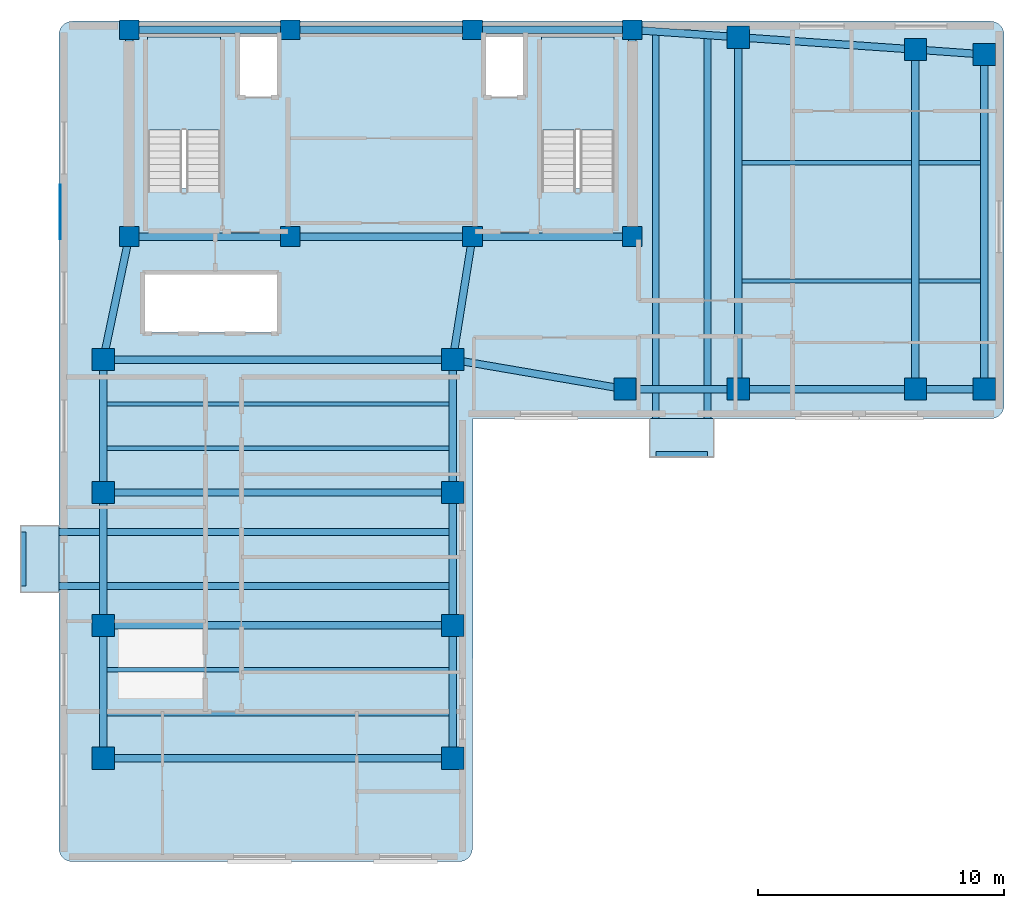
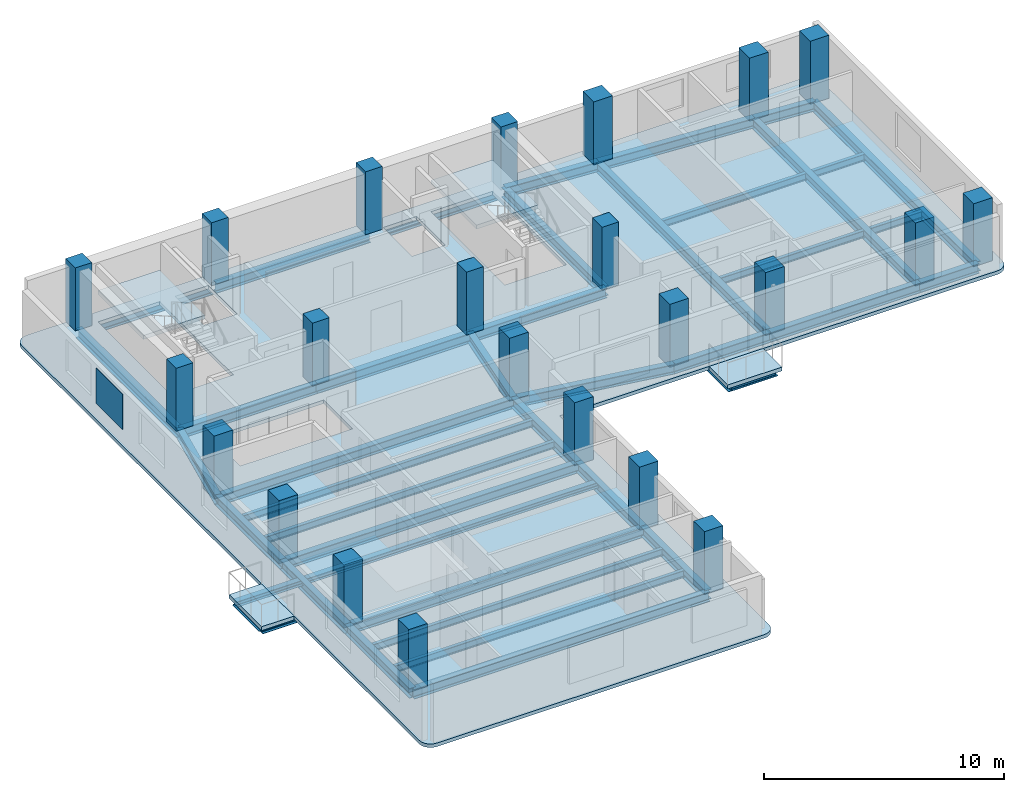
# One storey, part 1 of 6: 44 beams, 23 columns, 5 slabs, 1 plate, 2 elements without a shape of their own.
"""IFC4 building model written with IfcOpenShell, lengths in metres."""

from ifc_helpers import new_model, si_unit, direction, frame, origin, origin_2d, place, context, subcontext, project, spatial, polyline, rectangle, i_section, outline, extrude, material, layer, layer_set, material_profile, profile_set, type_object, element, aggregate, save


model = new_model("IFC4")

# Units and contexts
model_context = context("Model", 3, precision=1e-05, world=origin(), true_north=direction((0.0, 1.0)))
body_context = subcontext(model_context, "Body", "Model", "MODEL_VIEW")
ifc_project = project(units=[si_unit("LENGTHUNIT", "METRE"), si_unit("AREAUNIT", "SQUARE_METRE"), si_unit("VOLUMEUNIT", "CUBIC_METRE"), si_unit("PLANEANGLEUNIT", "RADIAN"), si_unit("MASSUNIT", "GRAM", prefix="KILO")], contexts=[model_context])

# Site, building, storey
site_placement = place(None, origin())
site = spatial("IfcSite", under=ifc_project, at=site_placement, CompositionType="ELEMENT")
building_placement = place(site_placement, origin())
building = spatial("IfcBuilding", under=site, at=building_placement, Name="Kuzgunbayir Cultural Tower", CompositionType="ELEMENT")
storey_placement = place(building_placement, frame((0.0, 0.0, 195.199951171875)))
storey = spatial("IfcBuildingStorey", under=building, at=storey_placement, Name="L57", CompositionType="ELEMENT", Elevation=195.199951171875)

# Columns
ifc_material_1 = material(Name="Concrete C50/60", Category="concrete")
ifc_material_profile_1 = material_profile(ifc_material_1, rectangle(XDim=0.800048828125, YDim=0.800048828125, at=origin_2d()), Name="RC 800x800")
ifc_profile_set_1 = profile_set([ifc_material_profile_1], Name="Concrete C50/60")
column_type_1 = type_object("IfcColumnType", Name="COL-CORE-800", PredefinedType="COLUMN", material=ifc_profile_set_1)
for number, where, z_axis, x_axis, name in (
    (1, (6.449951171875, 33.800048828125, 0.0), (0.0, 0.0, 1.0), (1.0, 0.0, 0.0), "L57 T1 Core Boundary Column CC1-1"),
    (2, (13.0, 33.800048828125, 0.0), (0.0, 0.0, 1.0), (1.0, 0.0, 0.0), "L57 T1 Core Boundary Column CC1-2"),
    (3, (20.39990234375, 33.800048828125, 0.0), (0.0, 0.0, 1.0), (1.0, 0.0, 0.0), "L57 T1 Core Boundary Column CC1-3"),
    (4, (26.89990234375, 33.800048828125, 0.0), (0.0, 0.0, 1.0), (1.0, 0.0, 0.0), "L57 T1 Core Boundary Column CC1-4"),
    (5, (6.449951171875, 42.199951171875, 0.0), (0.0, 0.0, 1.0), (1.0, 0.0, 0.0), "L57 T1 Core Boundary Column CC1-5"),
    (6, (13.0, 42.199951171875, 0.0), (0.0, 0.0, 1.0), (1.0, 0.0, 0.0), "L57 T1 Core Boundary Column CC1-6"),
    (7, (20.39990234375, 42.199951171875, 0.0), (0.0, 0.0, 1.0), (1.0, 0.0, 0.0), "L57 T1 Core Boundary Column CC1-7"),
    (8, (26.89990234375, 42.199951171875, 0.0), (0.0, 0.0, 1.0), (1.0, 0.0, 0.0), "L57 T1 Core Boundary Column CC1-8"),
):
    element("IfcColumn", number, at=place(storey_placement, frame(where, z_axis=z_axis, x_axis=x_axis)), inside=storey, type_object=column_type_1, Name=name, PredefinedType="COLUMN", context=body_context, shape_type="SweptSolid", body=[
        extrude(rectangle(XDim=0.800048828125, YDim=0.800048828125, at=origin_2d()), origin(), (0.0, 0.0, 1.0), 3.199951171875),
    ])
ifc_material_profile_2 = material_profile(ifc_material_1, rectangle(XDim=0.89990234375, YDim=0.89990234375, at=origin_2d()), Name="RC 900x900")
ifc_profile_set_2 = profile_set([ifc_material_profile_2], Name="Concrete C50/60")
column_type_2 = type_object("IfcColumnType", Name="COL-T1-900", PredefinedType="COLUMN", material=ifc_profile_set_2)
for number, where, z_axis, x_axis, name in (
    (9, (5.39990234375, 12.60009765625, 0.0), (0.0, 0.0, 1.0), (1.0, 0.0, 0.0), "L57 Tower 1 Wing A Column T1A-W-1"),
    (10, (19.60009765625, 12.60009765625, 0.0), (0.0, 0.0, 1.0), (1.0, 0.0, 0.0), "L57 Tower 1 Wing A Column T1A-E-1"),
    (11, (5.39990234375, 18.0, 0.0), (0.0, 0.0, 1.0), (1.0, 0.0, 0.0), "L57 Tower 1 Wing A Column T1A-W-2"),
    (12, (19.60009765625, 18.0, 0.0), (0.0, 0.0, 1.0), (1.0, 0.0, 0.0), "L57 Tower 1 Wing A Column T1A-E-2"),
    (13, (5.39990234375, 23.39990234375, 0.0), (0.0, 0.0, 1.0), (1.0, 0.0, 0.0), "L57 Tower 1 Wing A Column T1A-W-3"),
    (14, (19.60009765625, 23.39990234375, 0.0), (0.0, 0.0, 1.0), (1.0, 0.0, 0.0), "L57 Tower 1 Wing A Column T1A-E-3"),
    (15, (5.39990234375, 28.800048828125, 0.0), (0.0, 0.0, 1.0), (1.0, 0.0, 0.0), "L57 Tower 1 Wing A Column T1A-W-4"),
    (16, (19.60009765625, 28.800048828125, 0.0), (0.0, 0.0, 1.0), (1.0, 0.0, 0.0), "L57 Tower 1 Wing A Column T1A-E-4"),
    (17, (26.60009765625, 27.60009765625, 0.0), (0.0, 0.0, 1.0), (1.0, 0.0, 0.0), "L57 Tower 1 Wing B Column T1B-1-1"),
    (18, (31.199951171875, 27.60009765625, 0.0), (0.0, 0.0, 1.0), (1.0, 0.0, 0.0), "L57 Tower 1 Wing B Column T1B-2-1"),
    (19, (31.199951171875, 41.89990234375, 0.0), (0.0, 0.0, 1.0), (1.0, 0.0, 0.0), "L57 Tower 1 Wing B Column T1B-2-2"),
    (20, (38.39990234375, 27.60009765625, 0.0), (0.0, 0.0, 1.0), (1.0, 0.0, 0.0), "L57 Tower 1 Wing B Column T1B-3-1"),
    (21, (38.39990234375, 41.39990234375, 0.0), (0.0, 0.0, 1.0), (1.0, 0.0, 0.0), "L57 Tower 1 Wing B Column T1B-3-2"),
    (22, (41.199951171875, 27.60009765625, 0.0), (0.0, 0.0, 1.0), (1.0, 0.0, 0.0), "L57 Tower 1 Wing B Column T1B-4-1"),
    (23, (41.199951171875, 41.199951171875, 0.0), (0.0, 0.0, 1.0), (1.0, 0.0, 0.0), "L57 Tower 1 Wing B Column T1B-4-2"),
):
    element("IfcColumn", number, at=place(storey_placement, frame(where, z_axis=z_axis, x_axis=x_axis)), inside=storey, type_object=column_type_2, Name=name, PredefinedType="COLUMN", context=body_context, shape_type="SweptSolid", body=[
        extrude(rectangle(XDim=0.89990234375, YDim=0.89990234375, at=origin_2d()), origin(), (0.0, 0.0, 1.0), 3.199951171875),
    ])

# Beams
ifc_material_2 = material(Name="Steel S355J2", Category="steel")
ifc_material_profile_3 = material_profile(ifc_material_2, i_section(OverallWidth=0.280029296875, OverallDepth=0.280029296875, WebThickness=0.010498046875, FlangeThickness=0.01806640625, FilletRadius=0.02392578125, at=origin_2d()), Name="HEB 280")
ifc_profile_set_3 = profile_set([ifc_material_profile_3], Name="Steel S355J2")
beam_type_1 = type_object("IfcBeamType", Name="BM-BAL-HEB280", PredefinedType="BEAM", material=ifc_profile_set_3)
for number, where, z_axis, x_axis, name in (
    (24, (2.159912109375, 19.60009765625, -0.33984375), (1.0, 0.0, 0.0), (0.0, 1.0, 0.0), "L57 Balcony Outrigger Beam BAL-L57-WA2.1"),
    (25, (2.159912109375, 21.800048828125, -0.33984375), (1.0, 0.0, 0.0), (0.0, 1.0, 0.0), "L57 Balcony Outrigger Beam BAL-L57-WA2.2"),
):
    element("IfcBeam", number, at=place(storey_placement, frame(where, z_axis=z_axis, x_axis=x_axis)), inside=storey, type_object=beam_type_1, Name=name, PredefinedType="BEAM", context=body_context, shape_type="SweptSolid", body=[
        extrude(i_section(OverallWidth=0.280029296875, OverallDepth=0.280029296875, WebThickness=0.010498046875, FlangeThickness=0.01806640625, FilletRadius=0.02392578125, at=origin_2d()), origin(), (0.0, 0.0, 1.0), 17.440185546875),
    ])
beam_1_placement = place(storey_placement, frame((27.85009765625, 24.9599609375, -0.33984375), z_axis=(0.0, 1.0, 0.0), x_axis=(-1.0, 0.0, 0.0)))
element("IfcBeam", 26, at=beam_1_placement, inside=storey, type_object=beam_type_1, Name="L57 Balcony Outrigger Beam BAL-L57-WB1.1", PredefinedType="BEAM", context=body_context, shape_type="SweptSolid", body=[
    extrude(i_section(OverallWidth=0.280029296875, OverallDepth=0.280029296875, WebThickness=0.010498046875, FlangeThickness=0.01806640625, FilletRadius=0.02392578125, at=origin_2d()), origin(), (0.0, 0.0, 1.0), 17.169921875),
])
beam_2_placement = place(storey_placement, frame((29.949951171875, 24.9599609375, -0.33984375), z_axis=(0.0, 1.0, 0.0), x_axis=(-1.0, 0.0, 0.0)))
element("IfcBeam", 27, at=beam_2_placement, inside=storey, type_object=beam_type_1, Name="L57 Balcony Outrigger Beam BAL-L57-WB1.2", PredefinedType="BEAM", context=body_context, shape_type="SweptSolid", body=[
    extrude(i_section(OverallWidth=0.280029296875, OverallDepth=0.280029296875, WebThickness=0.010498046875, FlangeThickness=0.01806640625, FilletRadius=0.02392578125, at=origin_2d()), origin(), (0.0, 0.0, 1.0), 17.030029296875),
])
ifc_material_profile_4 = material_profile(ifc_material_2, i_section(OverallWidth=0.199951171875, OverallDepth=0.199951171875, WebThickness=0.009033203125, FlangeThickness=0.014892578125, FilletRadius=0.01806640625, at=origin_2d()), Name="HEB 200")
ifc_profile_set_4 = profile_set([ifc_material_profile_4], Name="Steel S355J2")
beam_type_2 = type_object("IfcBeamType", Name="BM-CAN-HEB200", PredefinedType="BEAM", material=ifc_profile_set_4)
beam_3_placement = place(storey_placement, frame((2.159912109375, 19.60009765625, -0.300048828125), z_axis=(0.0, 1.0, 0.0), x_axis=(-1.0, 0.0, 0.0)))
element("IfcBeam", 28, at=beam_3_placement, inside=storey, type_object=beam_type_2, Name="L57 Balcony Edge Header BAL-L57-WA2", PredefinedType="BEAM", context=body_context, shape_type="SweptSolid", body=[
    extrude(i_section(OverallWidth=0.199951171875, OverallDepth=0.199951171875, WebThickness=0.009033203125, FlangeThickness=0.014892578125, FilletRadius=0.01806640625, at=origin_2d()), origin(), (0.0, 0.0, 1.0), 2.199951171875),
])
beam_4_placement = place(storey_placement, frame((27.85009765625, 24.9599609375, -0.300048828125), z_axis=(1.0, 0.0, 0.0), x_axis=(0.0, 1.0, 0.0)))
element("IfcBeam", 29, at=beam_4_placement, inside=storey, type_object=beam_type_2, Name="L57 Balcony Edge Header BAL-L57-WB1", PredefinedType="BEAM", context=body_context, shape_type="SweptSolid", body=[
    extrude(i_section(OverallWidth=0.199951171875, OverallDepth=0.199951171875, WebThickness=0.009033203125, FlangeThickness=0.014892578125, FilletRadius=0.01806640625, at=origin_2d()), origin(), (0.0, 0.0, 1.0), 2.099853515625),
])
ifc_material_profile_5 = material_profile(ifc_material_2, i_section(OverallWidth=0.300048828125, OverallDepth=0.5, WebThickness=0.014404296875, FlangeThickness=0.028076171875, FilletRadius=0.027099609375, at=origin_2d()), Name="HEB 500")
ifc_profile_set_5 = profile_set([ifc_material_profile_5], Name="Steel S355J2")
beam_type_3 = type_object("IfcBeamType", Name="BM-EXT-HEB500", PredefinedType="BEAM", material=ifc_profile_set_5)
for number, where, z_axis, x_axis, name in (
    (30, (5.39990234375, 12.60009765625, -0.429931640625), (0.0, 1.0, 0.0), (-1.0, 0.0, 0.0), "L57 Wing A West Girder 1"),
    (31, (19.60009765625, 12.60009765625, -0.429931640625), (0.0, 1.0, 0.0), (-1.0, 0.0, 0.0), "L57 Wing A East Girder 1"),
    (32, (5.39990234375, 18.0, -0.429931640625), (0.0, 1.0, 0.0), (-1.0, 0.0, 0.0), "L57 Wing A West Girder 2"),
    (33, (19.60009765625, 18.0, -0.429931640625), (0.0, 1.0, 0.0), (-1.0, 0.0, 0.0), "L57 Wing A East Girder 2"),
):
    element("IfcBeam", number, at=place(storey_placement, frame(where, z_axis=z_axis, x_axis=x_axis)), inside=storey, type_object=beam_type_3, Name=name, PredefinedType="BEAM", context=body_context, shape_type="SweptSolid", body=[
        extrude(i_section(OverallWidth=0.300048828125, OverallDepth=0.5, WebThickness=0.014404296875, FlangeThickness=0.028076171875, FilletRadius=0.027099609375, at=origin_2d()), origin(), (0.0, 0.0, 1.0), 5.39990234375),
    ])
for number, where, z_axis, x_axis, name in (
    (34, (5.39990234375, 23.39990234375, -0.429931640625), (0.0, 1.0, 0.0), (-1.0, 0.0, 0.0), "L57 Wing A West Girder 3"),
    (35, (19.60009765625, 23.39990234375, -0.429931640625), (0.0, 1.0, 0.0), (-1.0, 0.0, 0.0), "L57 Wing A East Girder 3"),
):
    element("IfcBeam", number, at=place(storey_placement, frame(where, z_axis=z_axis, x_axis=x_axis)), inside=storey, type_object=beam_type_3, Name=name, PredefinedType="BEAM", context=body_context, shape_type="SweptSolid", body=[
        extrude(i_section(OverallWidth=0.300048828125, OverallDepth=0.5, WebThickness=0.014404296875, FlangeThickness=0.028076171875, FilletRadius=0.027099609375, at=origin_2d()), origin(), (0.0, 0.0, 1.0), 5.400146484375),
    ])
beam_5_placement = place(storey_placement, frame((26.60009765625, 27.60009765625, -0.429931640625), z_axis=(1.0, 0.0, 0.0), x_axis=(0.0, 1.0, 0.0)))
element("IfcBeam", 36, at=beam_5_placement, inside=storey, type_object=beam_type_3, Name="L57 Wing B South Girder 1", PredefinedType="BEAM", context=body_context, shape_type="SweptSolid", body=[
    extrude(i_section(OverallWidth=0.300048828125, OverallDepth=0.5, WebThickness=0.014404296875, FlangeThickness=0.028076171875, FilletRadius=0.027099609375, at=origin_2d()), origin(), (0.0, 0.0, 1.0), 4.599853515625),
])
beam_6_placement = place(storey_placement, frame((26.89990234375, 42.199951171875, -0.429931640625), z_axis=(0.997574369175, -0.069608749203, 0.0), x_axis=(0.069608749203, 0.997574369175, 0.0)))
element("IfcBeam", 37, at=beam_6_placement, inside=storey, type_object=beam_type_3, Name="L57 Wing B North Girder 1", PredefinedType="BEAM", context=body_context, shape_type="SweptSolid", body=[
    extrude(i_section(OverallWidth=0.300048828125, OverallDepth=0.5, WebThickness=0.014404296875, FlangeThickness=0.028076171875, FilletRadius=0.027099609375, at=origin_2d()), origin(), (0.0, 0.0, 1.0), 4.310546875),
])
beam_7_placement = place(storey_placement, frame((31.199951171875, 27.60009765625, -0.429931640625), z_axis=(1.0, 0.0, 0.0), x_axis=(0.0, 1.0, 0.0)))
element("IfcBeam", 38, at=beam_7_placement, inside=storey, type_object=beam_type_3, Name="L57 Wing B South Girder 2", PredefinedType="BEAM", context=body_context, shape_type="SweptSolid", body=[
    extrude(i_section(OverallWidth=0.300048828125, OverallDepth=0.5, WebThickness=0.014404296875, FlangeThickness=0.028076171875, FilletRadius=0.027099609375, at=origin_2d()), origin(), (0.0, 0.0, 1.0), 7.199951171875),
])
beam_8_placement = place(storey_placement, frame((31.199951171875, 41.89990234375, -0.429931640625), z_axis=(0.997597388498, -0.069278066245, 0.0), x_axis=(0.069278066245, 0.997597388498, 0.0)))
element("IfcBeam", 39, at=beam_8_placement, inside=storey, type_object=beam_type_3, Name="L57 Wing B North Girder 2", PredefinedType="BEAM", context=body_context, shape_type="SweptSolid", body=[
    extrude(i_section(OverallWidth=0.300048828125, OverallDepth=0.5, WebThickness=0.014404296875, FlangeThickness=0.028076171875, FilletRadius=0.027099609375, at=origin_2d()), origin(), (0.0, 0.0, 1.0), 7.21728515625),
])
beam_9_placement = place(storey_placement, frame((38.39990234375, 27.60009765625, -0.429931640625), z_axis=(1.0, 0.0, 0.0), x_axis=(0.0, 1.0, 0.0)))
element("IfcBeam", 40, at=beam_9_placement, inside=storey, type_object=beam_type_3, Name="L57 Wing B South Girder 3", PredefinedType="BEAM", context=body_context, shape_type="SweptSolid", body=[
    extrude(i_section(OverallWidth=0.300048828125, OverallDepth=0.5, WebThickness=0.014404296875, FlangeThickness=0.028076171875, FilletRadius=0.027099609375, at=origin_2d()), origin(), (0.0, 0.0, 1.0), 2.800048828125),
])
beam_10_placement = place(storey_placement, frame((38.39990234375, 41.39990234375, -0.429931640625), z_axis=(0.997460024076, -0.071228508128, 0.0), x_axis=(0.071228508128, 0.997460024076, 0.0)))
element("IfcBeam", 41, at=beam_10_placement, inside=storey, type_object=beam_type_3, Name="L57 Wing B North Girder 3", PredefinedType="BEAM", context=body_context, shape_type="SweptSolid", body=[
    extrude(i_section(OverallWidth=0.300048828125, OverallDepth=0.5, WebThickness=0.014404296875, FlangeThickness=0.028076171875, FilletRadius=0.027099609375, at=origin_2d()), origin(), (0.0, 0.0, 1.0), 2.80712890625),
])
ifc_material_profile_6 = material_profile(ifc_material_2, i_section(OverallWidth=0.300048828125, OverallDepth=0.5, WebThickness=0.014404296875, FlangeThickness=0.028076171875, FilletRadius=0.027099609375, at=origin_2d()), Name="HEB 500")
ifc_profile_set_6 = profile_set([ifc_material_profile_6], Name="Steel S355J2")
beam_type_4 = type_object("IfcBeamType", Name="BM-GIR-HEB500", PredefinedType="BEAM", material=ifc_profile_set_6)
beam_11_placement = place(storey_placement, frame((6.449951171875, 33.800048828125, -0.429931640625), z_axis=(1.0, 0.0, 0.0), x_axis=(0.0, 1.0, 0.0)))
element("IfcBeam", 42, at=beam_11_placement, inside=storey, type_object=beam_type_4, Name="L57 Core South Girder 1", PredefinedType="BEAM", context=body_context, shape_type="SweptSolid", body=[
    extrude(i_section(OverallWidth=0.300048828125, OverallDepth=0.5, WebThickness=0.014404296875, FlangeThickness=0.028076171875, FilletRadius=0.027099609375, at=origin_2d()), origin(), (0.0, 0.0, 1.0), 6.550048828125),
])
beam_12_placement = place(storey_placement, frame((13.0, 33.800048828125, -0.429931640625), z_axis=(1.0, 0.0, 0.0), x_axis=(0.0, 1.0, 0.0)))
element("IfcBeam", 43, at=beam_12_placement, inside=storey, type_object=beam_type_4, Name="L57 Core South Girder 2", PredefinedType="BEAM", context=body_context, shape_type="SweptSolid", body=[
    extrude(i_section(OverallWidth=0.300048828125, OverallDepth=0.5, WebThickness=0.014404296875, FlangeThickness=0.028076171875, FilletRadius=0.027099609375, at=origin_2d()), origin(), (0.0, 0.0, 1.0), 7.39990234375),
])
beam_13_placement = place(storey_placement, frame((20.39990234375, 33.800048828125, -0.429931640625), z_axis=(1.0, 0.0, 0.0), x_axis=(0.0, 1.0, 0.0)))
element("IfcBeam", 44, at=beam_13_placement, inside=storey, type_object=beam_type_4, Name="L57 Core South Girder 3", PredefinedType="BEAM", context=body_context, shape_type="SweptSolid", body=[
    extrude(i_section(OverallWidth=0.300048828125, OverallDepth=0.5, WebThickness=0.014404296875, FlangeThickness=0.028076171875, FilletRadius=0.027099609375, at=origin_2d()), origin(), (0.0, 0.0, 1.0), 6.5),
])
beam_14_placement = place(storey_placement, frame((6.449951171875, 42.199951171875, -0.429931640625), z_axis=(1.0, 0.0, 0.0), x_axis=(0.0, 1.0, 0.0)))
element("IfcBeam", 45, at=beam_14_placement, inside=storey, type_object=beam_type_4, Name="L57 Core North Girder 1", PredefinedType="BEAM", context=body_context, shape_type="SweptSolid", body=[
    extrude(i_section(OverallWidth=0.300048828125, OverallDepth=0.5, WebThickness=0.014404296875, FlangeThickness=0.028076171875, FilletRadius=0.027099609375, at=origin_2d()), origin(), (0.0, 0.0, 1.0), 6.550048828125),
])
beam_15_placement = place(storey_placement, frame((13.0, 42.199951171875, -0.429931640625), z_axis=(1.0, 0.0, 0.0), x_axis=(0.0, 1.0, 0.0)))
element("IfcBeam", 46, at=beam_15_placement, inside=storey, type_object=beam_type_4, Name="L57 Core North Girder 2", PredefinedType="BEAM", context=body_context, shape_type="SweptSolid", body=[
    extrude(i_section(OverallWidth=0.300048828125, OverallDepth=0.5, WebThickness=0.014404296875, FlangeThickness=0.028076171875, FilletRadius=0.027099609375, at=origin_2d()), origin(), (0.0, 0.0, 1.0), 7.39990234375),
])
beam_16_placement = place(storey_placement, frame((20.39990234375, 42.199951171875, -0.429931640625), z_axis=(1.0, 0.0, 0.0), x_axis=(0.0, 1.0, 0.0)))
element("IfcBeam", 47, at=beam_16_placement, inside=storey, type_object=beam_type_4, Name="L57 Core North Girder 3", PredefinedType="BEAM", context=body_context, shape_type="SweptSolid", body=[
    extrude(i_section(OverallWidth=0.300048828125, OverallDepth=0.5, WebThickness=0.014404296875, FlangeThickness=0.028076171875, FilletRadius=0.027099609375, at=origin_2d()), origin(), (0.0, 0.0, 1.0), 6.5),
])
for number, where, z_axis, x_axis, name in (
    (48, (6.449951171875, 33.800048828125, -0.429931640625), (0.0, 1.0, 0.0), (-1.0, 0.0, 0.0), "L57 Core West Edge Girder"),
    (49, (26.89990234375, 33.800048828125, -0.429931640625), (0.0, 1.0, 0.0), (-1.0, 0.0, 0.0), "L57 Core East Edge Girder"),
):
    element("IfcBeam", number, at=place(storey_placement, frame(where, z_axis=z_axis, x_axis=x_axis)), inside=storey, type_object=beam_type_4, Name=name, PredefinedType="BEAM", context=body_context, shape_type="SweptSolid", body=[
        extrude(i_section(OverallWidth=0.300048828125, OverallDepth=0.5, WebThickness=0.014404296875, FlangeThickness=0.028076171875, FilletRadius=0.027099609375, at=origin_2d()), origin(), (0.0, 0.0, 1.0), 8.39990234375),
    ])
for number, where, z_axis, x_axis, name in (
    (50, (5.39990234375, 12.60009765625, -0.429931640625), (1.0, 0.0, 0.0), (0.0, 1.0, 0.0), "L57 Wing A Transverse Girder 1"),
    (51, (5.39990234375, 18.0, -0.429931640625), (1.0, 0.0, 0.0), (0.0, 1.0, 0.0), "L57 Wing A Transverse Girder 2"),
    (52, (5.39990234375, 23.39990234375, -0.429931640625), (1.0, 0.0, 0.0), (0.0, 1.0, 0.0), "L57 Wing A Transverse Girder 3"),
    (53, (5.39990234375, 28.800048828125, -0.429931640625), (1.0, 0.0, 0.0), (0.0, 1.0, 0.0), "L57 Wing A Transverse Girder 4"),
):
    element("IfcBeam", number, at=place(storey_placement, frame(where, z_axis=z_axis, x_axis=x_axis)), inside=storey, type_object=beam_type_4, Name=name, PredefinedType="BEAM", context=body_context, shape_type="SweptSolid", body=[
        extrude(i_section(OverallWidth=0.300048828125, OverallDepth=0.5, WebThickness=0.014404296875, FlangeThickness=0.028076171875, FilletRadius=0.027099609375, at=origin_2d()), origin(), (0.0, 0.0, 1.0), 14.2001953125),
    ])
beam_17_placement = place(storey_placement, frame((5.39990234375, 28.800048828125, -0.429931640625), z_axis=(0.205526387753, 0.978651574329, 0.0), x_axis=(-0.978651574329, 0.205526387753, 0.0)))
element("IfcBeam", 54, at=beam_17_placement, inside=storey, type_object=beam_type_4, Name="L57 Wing A West Core Floor Girder", PredefinedType="BEAM", context=body_context, shape_type="SweptSolid", body=[
    extrude(i_section(OverallWidth=0.300048828125, OverallDepth=0.5, WebThickness=0.014404296875, FlangeThickness=0.028076171875, FilletRadius=0.027099609375, at=origin_2d()), origin(), (0.0, 0.0, 1.0), 5.109130859375),
])
beam_18_placement = place(storey_placement, frame((19.60009765625, 28.800048828125, -0.429931640625), z_axis=(0.157952891656, 0.987446648694, 0.0), x_axis=(-0.987446648694, 0.157952891656, 0.0)))
element("IfcBeam", 55, at=beam_18_placement, inside=storey, type_object=beam_type_4, Name="L57 Wing A East Core Floor Girder", PredefinedType="BEAM", context=body_context, shape_type="SweptSolid", body=[
    extrude(i_section(OverallWidth=0.300048828125, OverallDepth=0.5, WebThickness=0.014404296875, FlangeThickness=0.028076171875, FilletRadius=0.027099609375, at=origin_2d()), origin(), (0.0, 0.0, 1.0), 5.0634765625),
])
beam_19_placement = place(storey_placement, frame((31.199951171875, 27.60009765625, -0.429931640625), z_axis=(0.0, 1.0, 0.0), x_axis=(-1.0, 0.0, 0.0)))
element("IfcBeam", 56, at=beam_19_placement, inside=storey, type_object=beam_type_4, Name="L57 Wing B Cross Girder 31", PredefinedType="BEAM", context=body_context, shape_type="SweptSolid", body=[
    extrude(i_section(OverallWidth=0.300048828125, OverallDepth=0.5, WebThickness=0.014404296875, FlangeThickness=0.028076171875, FilletRadius=0.027099609375, at=origin_2d()), origin(), (0.0, 0.0, 1.0), 14.2998046875),
])
beam_20_placement = place(storey_placement, frame((38.39990234375, 27.60009765625, -0.429931640625), z_axis=(0.0, 1.0, 0.0), x_axis=(-1.0, 0.0, 0.0)))
element("IfcBeam", 57, at=beam_20_placement, inside=storey, type_object=beam_type_4, Name="L57 Wing B Cross Girder 38", PredefinedType="BEAM", context=body_context, shape_type="SweptSolid", body=[
    extrude(i_section(OverallWidth=0.300048828125, OverallDepth=0.5, WebThickness=0.014404296875, FlangeThickness=0.028076171875, FilletRadius=0.027099609375, at=origin_2d()), origin(), (0.0, 0.0, 1.0), 13.7998046875),
])
beam_21_placement = place(storey_placement, frame((41.199951171875, 27.60009765625, -0.429931640625), z_axis=(0.0, 1.0, 0.0), x_axis=(-1.0, 0.0, 0.0)))
element("IfcBeam", 58, at=beam_21_placement, inside=storey, type_object=beam_type_4, Name="L57 Wing B Cross Girder 41", PredefinedType="BEAM", context=body_context, shape_type="SweptSolid", body=[
    extrude(i_section(OverallWidth=0.300048828125, OverallDepth=0.5, WebThickness=0.014404296875, FlangeThickness=0.028076171875, FilletRadius=0.027099609375, at=origin_2d()), origin(), (0.0, 0.0, 1.0), 13.599853515625),
])
beam_22_placement = place(storey_placement, frame((19.60009765625, 28.800048828125, -0.429931640625), z_axis=(0.985623399742, -0.168957136221, 0.0), x_axis=(0.168957136221, 0.985623399742, 0.0)))
element("IfcBeam", 59, at=beam_22_placement, inside=storey, type_object=beam_type_4, Name="L57 Wing B Waist Tie Girder", PredefinedType="BEAM", context=body_context, shape_type="SweptSolid", body=[
    extrude(i_section(OverallWidth=0.300048828125, OverallDepth=0.5, WebThickness=0.014404296875, FlangeThickness=0.028076171875, FilletRadius=0.027099609375, at=origin_2d()), origin(), (0.0, 0.0, 1.0), 7.10205078125),
])
ifc_material_profile_7 = material_profile(ifc_material_2, i_section(OverallWidth=0.169921875, OverallDepth=0.360107421875, WebThickness=0.008056640625, FlangeThickness=0.0126953125, FilletRadius=0.01806640625, at=origin_2d()), Name="IPE 360")
ifc_profile_set_7 = profile_set([ifc_material_profile_7], Name="Steel S355J2")
beam_type_5 = type_object("IfcBeamType", Name="BM-JST-IPE360", PredefinedType="JOIST", material=ifc_profile_set_7)
for number, where, z_axis, x_axis, name in (
    (60, (5.550048828125, 14.39990234375, -0.35986328125), (1.0, 0.0, 0.0), (0.0, 1.0, 0.0), "L57 Wing A Secondary Joist 1"),
    (61, (5.550048828125, 16.199951171875, -0.35986328125), (1.0, 0.0, 0.0), (0.0, 1.0, 0.0), "L57 Wing A Secondary Joist 2"),
    (62, (5.550048828125, 25.199951171875, -0.35986328125), (1.0, 0.0, 0.0), (0.0, 1.0, 0.0), "L57 Wing A Secondary Joist 5"),
    (63, (5.550048828125, 27.0, -0.35986328125), (1.0, 0.0, 0.0), (0.0, 1.0, 0.0), "L57 Wing A Secondary Joist 6"),
):
    element("IfcBeam", number, at=place(storey_placement, frame(where, z_axis=z_axis, x_axis=x_axis)), inside=storey, type_object=beam_type_5, Name=name, PredefinedType="JOIST", context=body_context, shape_type="SweptSolid", body=[
        extrude(i_section(OverallWidth=0.169921875, OverallDepth=0.360107421875, WebThickness=0.008056640625, FlangeThickness=0.0126953125, FilletRadius=0.01806640625, at=origin_2d()), origin(), (0.0, 0.0, 1.0), 13.89990234375),
    ])
for number, where, z_axis, x_axis, name in (
    (64, (31.35009765625, 32.0, -0.35986328125), (1.0, 0.0, 0.0), (0.0, 1.0, 0.0), "L57 Wing B Secondary Joist 1.1"),
    (65, (31.35009765625, 36.800048828125, -0.35986328125), (1.0, 0.0, 0.0), (0.0, 1.0, 0.0), "L57 Wing B Secondary Joist 1.2"),
):
    element("IfcBeam", number, at=place(storey_placement, frame(where, z_axis=z_axis, x_axis=x_axis)), inside=storey, type_object=beam_type_5, Name=name, PredefinedType="JOIST", context=body_context, shape_type="SweptSolid", body=[
        extrude(i_section(OverallWidth=0.169921875, OverallDepth=0.360107421875, WebThickness=0.008056640625, FlangeThickness=0.0126953125, FilletRadius=0.01806640625, at=origin_2d()), origin(), (0.0, 0.0, 1.0), 6.89990234375),
    ])
for number, where, z_axis, x_axis, name in (
    (66, (38.550048828125, 32.0, -0.35986328125), (1.0, 0.0, 0.0), (0.0, 1.0, 0.0), "L57 Wing B Secondary Joist 2.1"),
    (67, (38.550048828125, 36.800048828125, -0.35986328125), (1.0, 0.0, 0.0), (0.0, 1.0, 0.0), "L57 Wing B Secondary Joist 2.2"),
):
    element("IfcBeam", number, at=place(storey_placement, frame(where, z_axis=z_axis, x_axis=x_axis)), inside=storey, type_object=beam_type_5, Name=name, PredefinedType="JOIST", context=body_context, shape_type="SweptSolid", body=[
        extrude(i_section(OverallWidth=0.169921875, OverallDepth=0.360107421875, WebThickness=0.008056640625, FlangeThickness=0.0126953125, FilletRadius=0.01806640625, at=origin_2d()), origin(), (0.0, 0.0, 1.0), 2.5),
    ])

# Plate
ifc_material_3 = material(Name="Perforated Bronze-Anodised Aluminium", Category="aluminium")
ifc_layer_1 = layer(ifc_material_3, 0.02392578125)
ifc_layer_set_1 = layer_set([ifc_layer_1], Name="Perforated Bronze-Anodised Aluminium")
plate_type = type_object("IfcPlateType", Name="PLT-SOLAR-SCREEN-14", PredefinedType="SHEET", material=ifc_layer_set_1)
plate_placement = place(storey_placement, frame((3.64990234375, 34.800048828125, 0.75), z_axis=(0.0, 0.0, 1.0), x_axis=(1.0, 0.0, 0.0)))
element("IfcPlate", 68, at=plate_placement, inside=storey, type_object=plate_type, Name="L57 Tower 1 Perforated Ceramic Solar Screen Panel", PredefinedType="SHEET", context=body_context, shape_type="SweptSolid", body=[
    extrude(rectangle(XDim=0.02392578125, YDim=2.199951171875, at=origin_2d()), origin(), (0.0, 0.0, 1.0), 1.800048828125),
])

# Slabs
ifc_material_4 = material(Name="Concrete C40/50", Category="concrete")
ifc_layer_2 = layer(ifc_material_4, 0.199951171875)
ifc_layer_set_2 = layer_set([ifc_layer_2], Name="Concrete C40/50")
slab_type_1 = type_object("IfcSlabType", Name="SLB-BAL-STONE", PredefinedType="FLOOR", material=ifc_layer_set_2)
slab_1_placement = place(storey_placement, frame((0.0, 0.0, -0.199951171875)))
element("IfcSlab", 69, at=slab_1_placement, inside=storey, type_object=slab_type_1, Name="L57 Projecting Limestone Balcony BAL-L57-WA2", PredefinedType="FLOOR", context=body_context, shape_type="SweptSolid", body=[
    extrude(outline(polyline([(2.0400390625, 19.35009765625), (3.60009765625, 19.35009765625), (3.60009765625, 22.050048828125), (2.0400390625, 22.050048828125), (2.0400390625, 19.35009765625)])), origin(), (0.0, 0.0, 1.0), 0.199951171875),
])
slab_2_placement = place(storey_placement, frame((0.0, 0.0, -0.199951171875)))
element("IfcSlab", 70, at=slab_2_placement, inside=storey, type_object=slab_type_1, Name="L57 Projecting Limestone Balcony BAL-L57-WB1", PredefinedType="FLOOR", context=body_context, shape_type="SweptSolid", body=[
    extrude(outline(polyline([(27.60009765625, 24.840087890625), (30.199951171875, 24.840087890625), (30.199951171875, 26.39990234375), (27.60009765625, 26.39990234375), (27.60009765625, 24.840087890625)])), origin(), (0.0, 0.0, 1.0), 0.199951171875),
])

# Stair, slab
stair_type = type_object("IfcStairType", Name="STR-EXIT-CORE", PredefinedType="HALF_TURN_STAIR", material=ifc_material_4)
stair_1_placement = place(storey_placement, origin())
stair_1 = element("IfcStair", 71, at=stair_1_placement, inside=storey, type_object=stair_type, Name="L57 ST-1", PredefinedType="HALF_TURN_STAIR")
ifc_layer_3 = layer(ifc_material_4, 0.179931640625)
ifc_layer_set_3 = layer_set([ifc_layer_3], Name="Concrete C40/50")
slab_type_2 = type_object("IfcSlabType", Name="SLB-LANDING-180", PredefinedType="LANDING", material=ifc_layer_set_3)
slab_3_placement = place(storey_placement, frame((0.0, 0.0, 1.400146484375)))
slab_3 = element("IfcSlab", 72, at=slab_3_placement, type_object=slab_type_2, Name="ST-1 landing 1", PredefinedType="LANDING", context=body_context, shape_type="SweptSolid", body=[
    extrude(outline(polyline([(10.159912109375, 38.1201171875), (10.159912109375, 41.89990234375), (7.199951171875, 41.89990234375), (7.199951171875, 38.1201171875), (10.159912109375, 38.1201171875)])), origin(), (0.0, 0.0, 1.0), 0.199951171875),
])
aggregate(stair_1, [slab_3])

stair_2_placement = place(storey_placement, origin())
stair_2 = element("IfcStair", 73, at=stair_2_placement, inside=storey, type_object=stair_type, Name="L57 ST-2", PredefinedType="HALF_TURN_STAIR")
slab_4_placement = place(storey_placement, frame((0.0, 0.0, 1.400146484375)))
slab_4 = element("IfcSlab", 74, at=slab_4_placement, type_object=slab_type_2, Name="ST-2 landing 1", PredefinedType="LANDING", context=body_context, shape_type="SweptSolid", body=[
    extrude(outline(polyline([(26.159912109375, 38.1201171875), (26.159912109375, 41.89990234375), (23.199951171875, 41.89990234375), (23.199951171875, 38.1201171875), (26.159912109375, 38.1201171875)])), origin(), (0.0, 0.0, 1.0), 0.199951171875),
])
aggregate(stair_2, [slab_4])

# Slab
ifc_layer_4 = layer(ifc_material_4, 0.179931640625)
ifc_layer_set_4 = layer_set([ifc_layer_4], Name="Concrete C40/50")
slab_type_3 = type_object("IfcSlabType", Name="SLB-TYP-180", PredefinedType="FLOOR", material=ifc_layer_set_4)
slab_5_placement = place(storey_placement, frame((0.0, 0.0, -0.179931640625)))
element("IfcSlab", 75, at=slab_5_placement, inside=storey, type_object=slab_type_3, Name="L57 Tower 1 Floor Slab T1-MAIN", PredefinedType="FLOOR", context=body_context, shape_type="SweptSolid", body=[
    extrude(outline(polyline([(20.39990234375, 8.949951171875), (20.389892578125, 8.840087890625), (20.360107421875, 8.739990234375), (20.31005859375, 8.639892578125), (20.239990234375, 8.56005859375), (20.159912109375, 8.489990234375), (20.06005859375, 8.43994140625), (19.9599609375, 8.409912109375), (19.85009765625, 8.39990234375), (4.14990234375, 8.39990234375), (4.0400390625, 8.409912109375), (3.93994140625, 8.43994140625), (3.840087890625, 8.489990234375), (3.760009765625, 8.56005859375), (3.68994140625, 8.639892578125), (3.639892578125, 8.739990234375), (3.610107421875, 8.840087890625), (3.60009765625, 8.949951171875), (3.60009765625, 42.0), (3.610107421875, 42.110107421875), (3.639892578125, 42.2099609375), (3.68994140625, 42.31005859375), (3.760009765625, 42.389892578125), (3.840087890625, 42.4599609375), (3.93994140625, 42.510009765625), (4.0400390625, 42.5400390625), (4.14990234375, 42.550048828125), (41.449951171875, 42.550048828125), (41.56005859375, 42.5400390625), (41.659912109375, 42.510009765625), (41.760009765625, 42.4599609375), (41.840087890625, 42.389892578125), (41.909912109375, 42.31005859375), (41.9599609375, 42.2099609375), (41.989990234375, 42.110107421875), (42.0, 42.0), (42.0, 26.949951171875), (41.989990234375, 26.840087890625), (41.9599609375, 26.739990234375), (41.909912109375, 26.639892578125), (41.840087890625, 26.56005859375), (41.760009765625, 26.489990234375), (41.659912109375, 26.43994140625), (41.56005859375, 26.409912109375), (41.449951171875, 26.39990234375), (20.429931640625, 26.39990234375), (20.39990234375, 8.949951171875)]), holes=[polyline([(7.199951171875, 35.760009765625), (7.199951171875, 41.89990234375), (10.159912109375, 41.89990234375), (10.159912109375, 35.760009765625), (7.199951171875, 35.760009765625)]), polyline([(23.199951171875, 35.760009765625), (23.199951171875, 41.89990234375), (26.159912109375, 41.89990234375), (26.159912109375, 35.760009765625), (23.199951171875, 35.760009765625)]), polyline([(7.10009765625, 29.89990234375), (7.10009765625, 32.300048828125), (12.5, 32.300048828125), (12.5, 29.89990234375), (7.10009765625, 29.89990234375)]), polyline([(10.89990234375, 39.5), (10.89990234375, 41.89990234375), (12.5, 41.89990234375), (12.5, 39.5), (10.89990234375, 39.5)]), polyline([(20.89990234375, 39.5), (20.89990234375, 41.89990234375), (22.5, 41.89990234375), (22.5, 39.5), (20.89990234375, 39.5)])]), origin(), (0.0, 0.0, 1.0), 0.179931640625),
])

save(model, "model.ifc")
